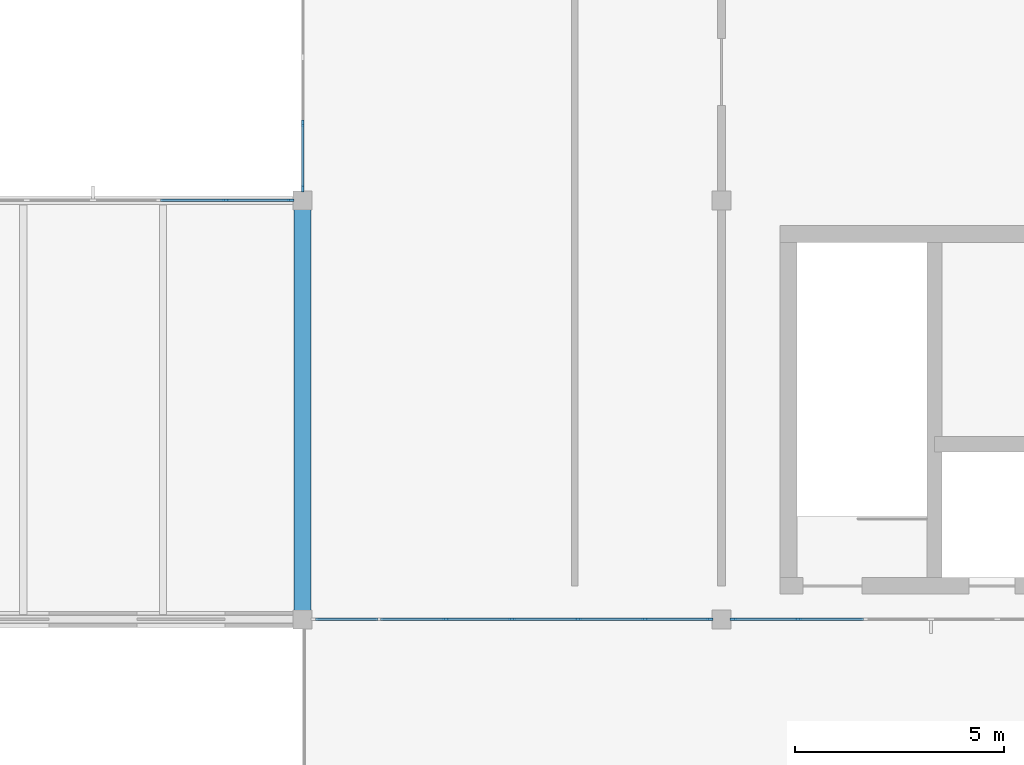
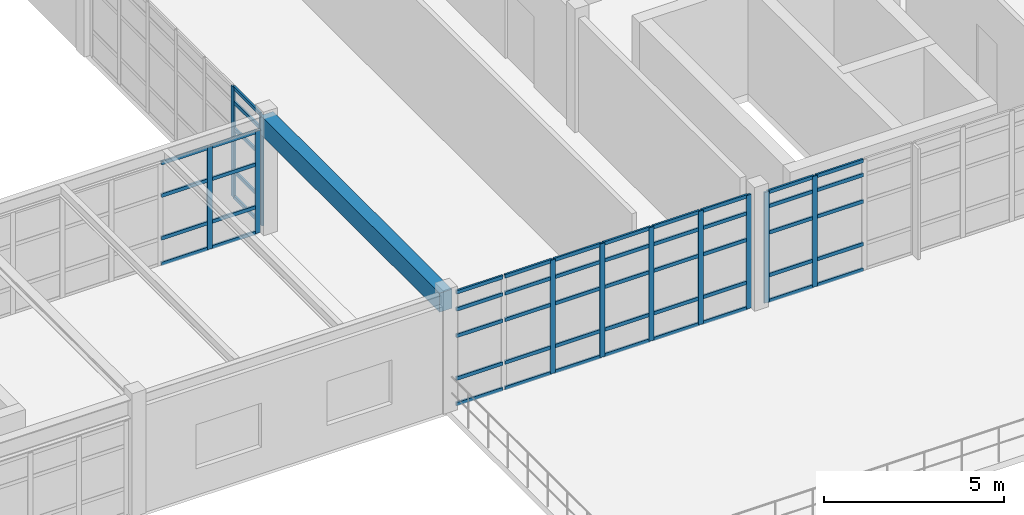
# One storey, part 60 of 122: 64 members, 1 beam, 4 elements without a shape of their own.
"""IFC4 building model written with IfcOpenShell, lengths in metres."""

from ifc_helpers import new_model, si_unit, direction, frame, origin, origin_2d, place, context, subcontext, project, spatial, rectangle, extrude, material, layer, layer_set, material_profile, profile_set, type_object, element, aggregate, save


model = new_model("IFC4")

# Units and contexts
model_context = context("Model", 3, precision=1e-05, world=origin(), true_north=direction((0.0, 1.0)))
body_context = subcontext(model_context, "Body", "Model", "MODEL_VIEW")
ifc_project = project(units=[si_unit("LENGTHUNIT", "METRE"), si_unit("AREAUNIT", "SQUARE_METRE"), si_unit("VOLUMEUNIT", "CUBIC_METRE"), si_unit("PLANEANGLEUNIT", "RADIAN"), si_unit("MASSUNIT", "GRAM", prefix="KILO"), si_unit("THERMODYNAMICTEMPERATUREUNIT", "KELVIN"), si_unit("POWERUNIT", "WATT")], contexts=[model_context])

# Site, building, storey
site_placement = place(None, origin())
site = spatial("IfcSite", under=ifc_project, at=site_placement, CompositionType="ELEMENT")
building_placement = place(site_placement, origin())
building = spatial("IfcBuilding", under=site, at=building_placement, Name="Korenveer Ferry Terminal", CompositionType="ELEMENT")
storey_placement = place(building_placement, frame((0.0, 0.0, 10.199951171875)))
storey = spatial("IfcBuildingStorey", under=building, at=storey_placement, Name="L02", CompositionType="ELEMENT", Elevation=10.199951171875)

# Curtain wall, members
ifc_material_1 = material(Name="Unitised bronze-and-glass curtain wall", Category="glass")
ifc_layer_1 = layer(ifc_material_1, 0.159912109375)
ifc_layer_set_1 = layer_set([ifc_layer_1], Name="Unitised bronze-and-glass curtain wall")
curtain_wall_type_1 = type_object("IfcCurtainWallType", Name="ENV-CW-86", PredefinedType="USERDEFINED", material=ifc_layer_set_1)
curtain_wall_1_placement = place(storey_placement, frame((146.2548828125, 20.0, 0.0)))
curtain_wall_1 = element("IfcCurtainWall", 1, at=curtain_wall_1_placement, inside=storey, type_object=curtain_wall_type_1, Name="Lancet curtain wall CWX-L02-X146-156-Y20-20", ObjectType="UNITISED CURTAIN WALL", PredefinedType="USERDEFINED")
ifc_material_2 = material(Name="Anodised bronze aluminium", Category="aluminium")
ifc_material_profile_1 = material_profile(ifc_material_2, rectangle(XDim=0.06005859375, YDim=0.159912109375, at=origin_2d()), Name="ALU 60x160")
ifc_profile_set_1 = profile_set([ifc_material_profile_1], Name="Anodised bronze aluminium")
member_type_1 = type_object("IfcMemberType", Name="ENV-CWM-60X160", PredefinedType="MULLION", material=ifc_profile_set_1)
member_1_placement = place(storey_placement, frame((149.418212890625, 20.0, 0.0), z_axis=(0.0, 0.0, 1.0), x_axis=(0.0, 1.0, 0.0)))
member_1 = element("IfcMember", 2, at=member_1_placement, type_object=member_type_1, Name="CW-86 mullion 3", PredefinedType="MULLION", context=body_context, shape_type="SweptSolid", body=[
    extrude(rectangle(XDim=0.06005859375, YDim=0.159912109375, at=origin_2d()), origin(), (0.0, 0.0, 1.0), 3.860107421875),
])
member_2_placement = place(storey_placement, frame((151.0, 20.0, 0.0), z_axis=(0.0, 0.0, 1.0), x_axis=(0.0, 1.0, 0.0)))
member_2 = element("IfcMember", 3, at=member_2_placement, type_object=member_type_1, Name="CW-86 mullion 4", PredefinedType="MULLION", context=body_context, shape_type="SweptSolid", body=[
    extrude(rectangle(XDim=0.06005859375, YDim=0.159912109375, at=origin_2d()), origin(), (0.0, 0.0, 1.0), 3.860107421875),
])
member_3_placement = place(storey_placement, frame((152.581787109375, 20.0, 0.0), z_axis=(0.0, 0.0, 1.0), x_axis=(0.0, 1.0, 0.0)))
member_3 = element("IfcMember", 4, at=member_3_placement, type_object=member_type_1, Name="CW-86 mullion 5", PredefinedType="MULLION", context=body_context, shape_type="SweptSolid", body=[
    extrude(rectangle(XDim=0.06005859375, YDim=0.159912109375, at=origin_2d()), origin(), (0.0, 0.0, 1.0), 3.860107421875),
])
member_4_placement = place(storey_placement, frame((154.163330078125, 20.0, 0.0), z_axis=(0.0, 0.0, 1.0), x_axis=(0.0, 1.0, 0.0)))
member_4 = element("IfcMember", 5, at=member_4_placement, type_object=member_type_1, Name="CW-86 mullion 6", PredefinedType="MULLION", context=body_context, shape_type="SweptSolid", body=[
    extrude(rectangle(XDim=0.06005859375, YDim=0.159912109375, at=origin_2d()), origin(), (0.0, 0.0, 1.0), 3.860107421875),
])
member_5_placement = place(storey_placement, frame((155.715087890625, 20.0, 0.0), z_axis=(0.0, 0.0, 1.0), x_axis=(0.0, 1.0, 0.0)))
member_5 = element("IfcMember", 6, at=member_5_placement, type_object=member_type_1, Name="CW-86 mullion 7", PredefinedType="MULLION", context=body_context, shape_type="SweptSolid", body=[
    extrude(rectangle(XDim=0.06005859375, YDim=0.159912109375, at=origin_2d()), origin(), (0.0, 0.0, 1.0), 3.860107421875),
])

ifc_layer_2 = layer(ifc_material_1, 0.159912109375)
ifc_layer_set_2 = layer_set([ifc_layer_2], Name="Unitised bronze-and-glass curtain wall")
curtain_wall_type_2 = type_object("IfcCurtainWallType", Name="ENV-CW-87", PredefinedType="USERDEFINED", material=ifc_layer_set_2)
curtain_wall_2_placement = place(storey_placement, frame((156.2548828125, 20.0, 0.0)))
curtain_wall_2 = element("IfcCurtainWall", 7, at=curtain_wall_2_placement, inside=storey, type_object=curtain_wall_type_2, Name="Lancet curtain wall CWX-L02-X156-166-Y20-20", ObjectType="UNITISED CURTAIN WALL", PredefinedType="USERDEFINED")
member_6_placement = place(storey_placement, frame((156.284912109375, 20.0, 0.0), z_axis=(0.0, 0.0, 1.0), x_axis=(0.0, 1.0, 0.0)))
member_6 = element("IfcMember", 8, at=member_6_placement, type_object=member_type_1, Name="CW-87 mullion 1", PredefinedType="MULLION", context=body_context, shape_type="SweptSolid", body=[
    extrude(rectangle(XDim=0.06005859375, YDim=0.159912109375, at=origin_2d()), origin(), (0.0, 0.0, 1.0), 3.760009765625),
])
member_7_placement = place(storey_placement, frame((157.836669921875, 20.0, 0.0), z_axis=(0.0, 0.0, 1.0), x_axis=(0.0, 1.0, 0.0)))
member_7 = element("IfcMember", 9, at=member_7_placement, type_object=member_type_1, Name="CW-87 mullion 2", PredefinedType="MULLION", context=body_context, shape_type="SweptSolid", body=[
    extrude(rectangle(XDim=0.06005859375, YDim=0.159912109375, at=origin_2d()), origin(), (0.0, 0.0, 1.0), 3.760009765625),
])

ifc_layer_3 = layer(ifc_material_1, 0.159912109375)
ifc_layer_set_3 = layer_set([ifc_layer_3], Name="Unitised bronze-and-glass curtain wall")
curtain_wall_type_3 = type_object("IfcCurtainWallType", Name="ENV-CW-89", PredefinedType="USERDEFINED", material=ifc_layer_set_3)
curtain_wall_3_placement = place(storey_placement, frame((136.2548828125, 30.0, 0.0)))
curtain_wall_3 = element("IfcCurtainWall", 10, at=curtain_wall_3_placement, inside=storey, type_object=curtain_wall_type_3, Name="Lancet curtain wall CWX-L02-X136-146-Y30-30", ObjectType="UNITISED CURTAIN WALL", PredefinedType="USERDEFINED")
member_8_placement = place(storey_placement, frame((144.163330078125, 30.0, 0.0), z_axis=(0.0, 0.0, 1.0), x_axis=(0.0, 1.0, 0.0)))
member_8 = element("IfcMember", 11, at=member_8_placement, type_object=member_type_1, Name="CW-89 mullion 6", PredefinedType="MULLION", context=body_context, shape_type="SweptSolid", body=[
    extrude(rectangle(XDim=0.06005859375, YDim=0.159912109375, at=origin_2d()), origin(), (0.0, 0.0, 1.0), 3.47998046875),
])
member_9_placement = place(storey_placement, frame((145.715087890625, 30.0, 0.0), z_axis=(0.0, 0.0, 1.0), x_axis=(0.0, 1.0, 0.0)))
member_9 = element("IfcMember", 12, at=member_9_placement, type_object=member_type_1, Name="CW-89 mullion 7", PredefinedType="MULLION", context=body_context, shape_type="SweptSolid", body=[
    extrude(rectangle(XDim=0.06005859375, YDim=0.159912109375, at=origin_2d()), origin(), (0.0, 0.0, 1.0), 3.47998046875),
])

curtain_wall_4_placement = place(storey_placement, frame((146.0, 30.2548828125, 0.0)))
curtain_wall_4 = element("IfcCurtainWall", 13, at=curtain_wall_4_placement, inside=storey, type_object=curtain_wall_type_2, Name="Lancet curtain wall CWX-L02-X146-146-Y30-40", ObjectType="UNITISED CURTAIN WALL", PredefinedType="USERDEFINED")
member_10_placement = place(storey_placement, frame((146.0, 30.284912109375, 0.0), z_axis=(0.0, 0.0, 1.0), x_axis=(-1.0, 0.0, 0.0)))
member_10 = element("IfcMember", 14, at=member_10_placement, type_object=member_type_1, Name="CW-87 mullion 1", PredefinedType="MULLION", context=body_context, shape_type="SweptSolid", body=[
    extrude(rectangle(XDim=0.06005859375, YDim=0.159912109375, at=origin_2d()), origin(), (0.0, 0.0, 1.0), 3.760009765625),
])
member_11_placement = place(storey_placement, frame((146.0, 31.836669921875, 0.0), z_axis=(0.0, 0.0, 1.0), x_axis=(-1.0, 0.0, 0.0)))
member_11 = element("IfcMember", 15, at=member_11_placement, type_object=member_type_1, Name="CW-87 mullion 2", PredefinedType="MULLION", context=body_context, shape_type="SweptSolid", body=[
    extrude(rectangle(XDim=0.06005859375, YDim=0.159912109375, at=origin_2d()), origin(), (0.0, 0.0, 1.0), 3.760009765625),
])

# Member
ifc_material_profile_2 = material_profile(ifc_material_2, rectangle(XDim=0.06005859375, YDim=0.1201171875, at=origin_2d()), Name="ALU 60x120")
ifc_profile_set_2 = profile_set([ifc_material_profile_2], Name="Anodised bronze aluminium")
member_type_2 = type_object("IfcMemberType", Name="ENV-CWT-60X120", PredefinedType="USERDEFINED", material=ifc_profile_set_2)
member_12_placement = place(storey_placement, frame((146.31494140625, 20.0, 0.030029296875), z_axis=(1.0, 0.0, 0.0), x_axis=(0.0, 1.0, 0.0)))
member_12 = element("IfcMember", 16, at=member_12_placement, type_object=member_type_2, Name="CW-86 transom 1.1", ObjectType="TRANSOM", PredefinedType="USERDEFINED", context=body_context, shape_type="SweptSolid", body=[
    extrude(rectangle(XDim=0.06005859375, YDim=0.1201171875, at=origin_2d()), origin(), (0.0, 0.0, 1.0), 1.49169921875),
])

member_13_placement = place(storey_placement, frame((146.31494140625, 20.0, 0.900146484375), z_axis=(1.0, 0.0, 0.0), x_axis=(0.0, 1.0, 0.0)))
member_13 = element("IfcMember", 17, at=member_13_placement, type_object=member_type_2, Name="CW-86 transom 1.2", ObjectType="TRANSOM", PredefinedType="USERDEFINED", context=body_context, shape_type="SweptSolid", body=[
    extrude(rectangle(XDim=0.06005859375, YDim=0.1201171875, at=origin_2d()), origin(), (0.0, 0.0, 1.0), 1.49169921875),
])

member_14_placement = place(storey_placement, frame((146.31494140625, 20.0, 2.35009765625), z_axis=(1.0, 0.0, 0.0), x_axis=(0.0, 1.0, 0.0)))
member_14 = element("IfcMember", 18, at=member_14_placement, type_object=member_type_2, Name="CW-86 transom 1.3", ObjectType="TRANSOM", PredefinedType="USERDEFINED", context=body_context, shape_type="SweptSolid", body=[
    extrude(rectangle(XDim=0.06005859375, YDim=0.1201171875, at=origin_2d()), origin(), (0.0, 0.0, 1.0), 1.49169921875),
])

member_15_placement = place(storey_placement, frame((146.31494140625, 20.0, 3.25), z_axis=(1.0, 0.0, 0.0), x_axis=(0.0, 1.0, 0.0)))
member_15 = element("IfcMember", 19, at=member_15_placement, type_object=member_type_2, Name="CW-86 transom 1.4", ObjectType="TRANSOM", PredefinedType="USERDEFINED", context=body_context, shape_type="SweptSolid", body=[
    extrude(rectangle(XDim=0.06005859375, YDim=0.1201171875, at=origin_2d()), origin(), (0.0, 0.0, 1.0), 1.49169921875),
])

member_16_placement = place(storey_placement, frame((146.31494140625, 20.0, 3.830078125), z_axis=(1.0, 0.0, 0.0), x_axis=(0.0, 1.0, 0.0)))
member_16 = element("IfcMember", 20, at=member_16_placement, type_object=member_type_2, Name="CW-86 transom 1.5", ObjectType="TRANSOM", PredefinedType="USERDEFINED", context=body_context, shape_type="SweptSolid", body=[
    extrude(rectangle(XDim=0.06005859375, YDim=0.1201171875, at=origin_2d()), origin(), (0.0, 0.0, 1.0), 1.49169921875),
])

member_17_placement = place(storey_placement, frame((147.86669921875, 20.0, 0.030029296875), z_axis=(1.0, 0.0, 0.0), x_axis=(0.0, 1.0, 0.0)))
member_17 = element("IfcMember", 21, at=member_17_placement, type_object=member_type_2, Name="CW-86 transom 2.1", ObjectType="TRANSOM", PredefinedType="USERDEFINED", context=body_context, shape_type="SweptSolid", body=[
    extrude(rectangle(XDim=0.06005859375, YDim=0.1201171875, at=origin_2d()), origin(), (0.0, 0.0, 1.0), 1.521728515625),
])

member_18_placement = place(storey_placement, frame((147.86669921875, 20.0, 0.900146484375), z_axis=(1.0, 0.0, 0.0), x_axis=(0.0, 1.0, 0.0)))
member_18 = element("IfcMember", 22, at=member_18_placement, type_object=member_type_2, Name="CW-86 transom 2.2", ObjectType="TRANSOM", PredefinedType="USERDEFINED", context=body_context, shape_type="SweptSolid", body=[
    extrude(rectangle(XDim=0.06005859375, YDim=0.1201171875, at=origin_2d()), origin(), (0.0, 0.0, 1.0), 1.521728515625),
])

member_19_placement = place(storey_placement, frame((147.86669921875, 20.0, 2.35009765625), z_axis=(1.0, 0.0, 0.0), x_axis=(0.0, 1.0, 0.0)))
member_19 = element("IfcMember", 23, at=member_19_placement, type_object=member_type_2, Name="CW-86 transom 2.3", ObjectType="TRANSOM", PredefinedType="USERDEFINED", context=body_context, shape_type="SweptSolid", body=[
    extrude(rectangle(XDim=0.06005859375, YDim=0.1201171875, at=origin_2d()), origin(), (0.0, 0.0, 1.0), 1.521728515625),
])

member_20_placement = place(storey_placement, frame((147.86669921875, 20.0, 3.25), z_axis=(1.0, 0.0, 0.0), x_axis=(0.0, 1.0, 0.0)))
member_20 = element("IfcMember", 24, at=member_20_placement, type_object=member_type_2, Name="CW-86 transom 2.4", ObjectType="TRANSOM", PredefinedType="USERDEFINED", context=body_context, shape_type="SweptSolid", body=[
    extrude(rectangle(XDim=0.06005859375, YDim=0.1201171875, at=origin_2d()), origin(), (0.0, 0.0, 1.0), 1.521728515625),
])

member_21_placement = place(storey_placement, frame((147.86669921875, 20.0, 3.830078125), z_axis=(1.0, 0.0, 0.0), x_axis=(0.0, 1.0, 0.0)))
member_21 = element("IfcMember", 25, at=member_21_placement, type_object=member_type_2, Name="CW-86 transom 2.5", ObjectType="TRANSOM", PredefinedType="USERDEFINED", context=body_context, shape_type="SweptSolid", body=[
    extrude(rectangle(XDim=0.06005859375, YDim=0.1201171875, at=origin_2d()), origin(), (0.0, 0.0, 1.0), 1.521728515625),
])

member_22_placement = place(storey_placement, frame((149.4482421875, 20.0, 0.030029296875), z_axis=(1.0, 0.0, 0.0), x_axis=(0.0, 1.0, 0.0)))
member_22 = element("IfcMember", 26, at=member_22_placement, type_object=member_type_2, Name="CW-86 transom 3.1", ObjectType="TRANSOM", PredefinedType="USERDEFINED", context=body_context, shape_type="SweptSolid", body=[
    extrude(rectangle(XDim=0.06005859375, YDim=0.1201171875, at=origin_2d()), origin(), (0.0, 0.0, 1.0), 1.521728515625),
])

member_23_placement = place(storey_placement, frame((149.4482421875, 20.0, 0.900146484375), z_axis=(1.0, 0.0, 0.0), x_axis=(0.0, 1.0, 0.0)))
member_23 = element("IfcMember", 27, at=member_23_placement, type_object=member_type_2, Name="CW-86 transom 3.2", ObjectType="TRANSOM", PredefinedType="USERDEFINED", context=body_context, shape_type="SweptSolid", body=[
    extrude(rectangle(XDim=0.06005859375, YDim=0.1201171875, at=origin_2d()), origin(), (0.0, 0.0, 1.0), 1.521728515625),
])

member_24_placement = place(storey_placement, frame((149.4482421875, 20.0, 2.35009765625), z_axis=(1.0, 0.0, 0.0), x_axis=(0.0, 1.0, 0.0)))
member_24 = element("IfcMember", 28, at=member_24_placement, type_object=member_type_2, Name="CW-86 transom 3.3", ObjectType="TRANSOM", PredefinedType="USERDEFINED", context=body_context, shape_type="SweptSolid", body=[
    extrude(rectangle(XDim=0.06005859375, YDim=0.1201171875, at=origin_2d()), origin(), (0.0, 0.0, 1.0), 1.521728515625),
])

member_25_placement = place(storey_placement, frame((149.4482421875, 20.0, 3.25), z_axis=(1.0, 0.0, 0.0), x_axis=(0.0, 1.0, 0.0)))
member_25 = element("IfcMember", 29, at=member_25_placement, type_object=member_type_2, Name="CW-86 transom 3.4", ObjectType="TRANSOM", PredefinedType="USERDEFINED", context=body_context, shape_type="SweptSolid", body=[
    extrude(rectangle(XDim=0.06005859375, YDim=0.1201171875, at=origin_2d()), origin(), (0.0, 0.0, 1.0), 1.521728515625),
])

member_26_placement = place(storey_placement, frame((149.4482421875, 20.0, 3.830078125), z_axis=(1.0, 0.0, 0.0), x_axis=(0.0, 1.0, 0.0)))
member_26 = element("IfcMember", 30, at=member_26_placement, type_object=member_type_2, Name="CW-86 transom 3.5", ObjectType="TRANSOM", PredefinedType="USERDEFINED", context=body_context, shape_type="SweptSolid", body=[
    extrude(rectangle(XDim=0.06005859375, YDim=0.1201171875, at=origin_2d()), origin(), (0.0, 0.0, 1.0), 1.521728515625),
])

member_27_placement = place(storey_placement, frame((151.030029296875, 20.0, 0.030029296875), z_axis=(1.0, 0.0, 0.0), x_axis=(0.0, 1.0, 0.0)))
member_27 = element("IfcMember", 31, at=member_27_placement, type_object=member_type_2, Name="CW-86 transom 4.1", ObjectType="TRANSOM", PredefinedType="USERDEFINED", context=body_context, shape_type="SweptSolid", body=[
    extrude(rectangle(XDim=0.06005859375, YDim=0.1201171875, at=origin_2d()), origin(), (0.0, 0.0, 1.0), 1.521728515625),
])

member_28_placement = place(storey_placement, frame((151.030029296875, 20.0, 0.900146484375), z_axis=(1.0, 0.0, 0.0), x_axis=(0.0, 1.0, 0.0)))
member_28 = element("IfcMember", 32, at=member_28_placement, type_object=member_type_2, Name="CW-86 transom 4.2", ObjectType="TRANSOM", PredefinedType="USERDEFINED", context=body_context, shape_type="SweptSolid", body=[
    extrude(rectangle(XDim=0.06005859375, YDim=0.1201171875, at=origin_2d()), origin(), (0.0, 0.0, 1.0), 1.521728515625),
])

member_29_placement = place(storey_placement, frame((151.030029296875, 20.0, 2.35009765625), z_axis=(1.0, 0.0, 0.0), x_axis=(0.0, 1.0, 0.0)))
member_29 = element("IfcMember", 33, at=member_29_placement, type_object=member_type_2, Name="CW-86 transom 4.3", ObjectType="TRANSOM", PredefinedType="USERDEFINED", context=body_context, shape_type="SweptSolid", body=[
    extrude(rectangle(XDim=0.06005859375, YDim=0.1201171875, at=origin_2d()), origin(), (0.0, 0.0, 1.0), 1.521728515625),
])

member_30_placement = place(storey_placement, frame((151.030029296875, 20.0, 3.25), z_axis=(1.0, 0.0, 0.0), x_axis=(0.0, 1.0, 0.0)))
member_30 = element("IfcMember", 34, at=member_30_placement, type_object=member_type_2, Name="CW-86 transom 4.4", ObjectType="TRANSOM", PredefinedType="USERDEFINED", context=body_context, shape_type="SweptSolid", body=[
    extrude(rectangle(XDim=0.06005859375, YDim=0.1201171875, at=origin_2d()), origin(), (0.0, 0.0, 1.0), 1.521728515625),
])

member_31_placement = place(storey_placement, frame((151.030029296875, 20.0, 3.830078125), z_axis=(1.0, 0.0, 0.0), x_axis=(0.0, 1.0, 0.0)))
member_31 = element("IfcMember", 35, at=member_31_placement, type_object=member_type_2, Name="CW-86 transom 4.5", ObjectType="TRANSOM", PredefinedType="USERDEFINED", context=body_context, shape_type="SweptSolid", body=[
    extrude(rectangle(XDim=0.06005859375, YDim=0.1201171875, at=origin_2d()), origin(), (0.0, 0.0, 1.0), 1.521728515625),
])

member_32_placement = place(storey_placement, frame((152.611572265625, 20.0, 0.030029296875), z_axis=(1.0, 0.0, 0.0), x_axis=(0.0, 1.0, 0.0)))
member_32 = element("IfcMember", 36, at=member_32_placement, type_object=member_type_2, Name="CW-86 transom 5.1", ObjectType="TRANSOM", PredefinedType="USERDEFINED", context=body_context, shape_type="SweptSolid", body=[
    extrude(rectangle(XDim=0.06005859375, YDim=0.1201171875, at=origin_2d()), origin(), (0.0, 0.0, 1.0), 1.521728515625),
])

member_33_placement = place(storey_placement, frame((152.611572265625, 20.0, 0.900146484375), z_axis=(1.0, 0.0, 0.0), x_axis=(0.0, 1.0, 0.0)))
member_33 = element("IfcMember", 37, at=member_33_placement, type_object=member_type_2, Name="CW-86 transom 5.2", ObjectType="TRANSOM", PredefinedType="USERDEFINED", context=body_context, shape_type="SweptSolid", body=[
    extrude(rectangle(XDim=0.06005859375, YDim=0.1201171875, at=origin_2d()), origin(), (0.0, 0.0, 1.0), 1.521728515625),
])

member_34_placement = place(storey_placement, frame((152.611572265625, 20.0, 2.35009765625), z_axis=(1.0, 0.0, 0.0), x_axis=(0.0, 1.0, 0.0)))
member_34 = element("IfcMember", 38, at=member_34_placement, type_object=member_type_2, Name="CW-86 transom 5.3", ObjectType="TRANSOM", PredefinedType="USERDEFINED", context=body_context, shape_type="SweptSolid", body=[
    extrude(rectangle(XDim=0.06005859375, YDim=0.1201171875, at=origin_2d()), origin(), (0.0, 0.0, 1.0), 1.521728515625),
])

member_35_placement = place(storey_placement, frame((152.611572265625, 20.0, 3.25), z_axis=(1.0, 0.0, 0.0), x_axis=(0.0, 1.0, 0.0)))
member_35 = element("IfcMember", 39, at=member_35_placement, type_object=member_type_2, Name="CW-86 transom 5.4", ObjectType="TRANSOM", PredefinedType="USERDEFINED", context=body_context, shape_type="SweptSolid", body=[
    extrude(rectangle(XDim=0.06005859375, YDim=0.1201171875, at=origin_2d()), origin(), (0.0, 0.0, 1.0), 1.521728515625),
])

member_36_placement = place(storey_placement, frame((152.611572265625, 20.0, 3.830078125), z_axis=(1.0, 0.0, 0.0), x_axis=(0.0, 1.0, 0.0)))
member_36 = element("IfcMember", 40, at=member_36_placement, type_object=member_type_2, Name="CW-86 transom 5.5", ObjectType="TRANSOM", PredefinedType="USERDEFINED", context=body_context, shape_type="SweptSolid", body=[
    extrude(rectangle(XDim=0.06005859375, YDim=0.1201171875, at=origin_2d()), origin(), (0.0, 0.0, 1.0), 1.521728515625),
])

member_37_placement = place(storey_placement, frame((154.193359375, 20.0, 0.030029296875), z_axis=(1.0, 0.0, 0.0), x_axis=(0.0, 1.0, 0.0)))
member_37 = element("IfcMember", 41, at=member_37_placement, type_object=member_type_2, Name="CW-86 transom 6.1", ObjectType="TRANSOM", PredefinedType="USERDEFINED", context=body_context, shape_type="SweptSolid", body=[
    extrude(rectangle(XDim=0.06005859375, YDim=0.1201171875, at=origin_2d()), origin(), (0.0, 0.0, 1.0), 1.49169921875),
])

member_38_placement = place(storey_placement, frame((154.193359375, 20.0, 0.900146484375), z_axis=(1.0, 0.0, 0.0), x_axis=(0.0, 1.0, 0.0)))
member_38 = element("IfcMember", 42, at=member_38_placement, type_object=member_type_2, Name="CW-86 transom 6.2", ObjectType="TRANSOM", PredefinedType="USERDEFINED", context=body_context, shape_type="SweptSolid", body=[
    extrude(rectangle(XDim=0.06005859375, YDim=0.1201171875, at=origin_2d()), origin(), (0.0, 0.0, 1.0), 1.49169921875),
])

member_39_placement = place(storey_placement, frame((154.193359375, 20.0, 2.35009765625), z_axis=(1.0, 0.0, 0.0), x_axis=(0.0, 1.0, 0.0)))
member_39 = element("IfcMember", 43, at=member_39_placement, type_object=member_type_2, Name="CW-86 transom 6.3", ObjectType="TRANSOM", PredefinedType="USERDEFINED", context=body_context, shape_type="SweptSolid", body=[
    extrude(rectangle(XDim=0.06005859375, YDim=0.1201171875, at=origin_2d()), origin(), (0.0, 0.0, 1.0), 1.49169921875),
])

member_40_placement = place(storey_placement, frame((154.193359375, 20.0, 3.25), z_axis=(1.0, 0.0, 0.0), x_axis=(0.0, 1.0, 0.0)))
member_40 = element("IfcMember", 44, at=member_40_placement, type_object=member_type_2, Name="CW-86 transom 6.4", ObjectType="TRANSOM", PredefinedType="USERDEFINED", context=body_context, shape_type="SweptSolid", body=[
    extrude(rectangle(XDim=0.06005859375, YDim=0.1201171875, at=origin_2d()), origin(), (0.0, 0.0, 1.0), 1.49169921875),
])

member_41_placement = place(storey_placement, frame((154.193359375, 20.0, 3.830078125), z_axis=(1.0, 0.0, 0.0), x_axis=(0.0, 1.0, 0.0)))
member_41 = element("IfcMember", 45, at=member_41_placement, type_object=member_type_2, Name="CW-86 transom 6.5", ObjectType="TRANSOM", PredefinedType="USERDEFINED", context=body_context, shape_type="SweptSolid", body=[
    extrude(rectangle(XDim=0.06005859375, YDim=0.1201171875, at=origin_2d()), origin(), (0.0, 0.0, 1.0), 1.49169921875),
])

aggregate(curtain_wall_1, [member_1, member_2, member_3, member_4, member_5, member_12, member_13, member_14, member_15, member_16, member_17, member_18, member_19, member_20, member_21, member_22, member_23, member_24, member_25, member_26, member_27, member_28, member_29, member_30, member_31, member_32, member_33, member_34, member_35, member_36, member_37, member_38, member_39, member_40, member_41])

member_42_placement = place(storey_placement, frame((156.31494140625, 20.0, 0.030029296875), z_axis=(1.0, 0.0, 0.0), x_axis=(0.0, 1.0, 0.0)))
member_42 = element("IfcMember", 46, at=member_42_placement, type_object=member_type_2, Name="CW-87 transom 1.1", ObjectType="TRANSOM", PredefinedType="USERDEFINED", context=body_context, shape_type="SweptSolid", body=[
    extrude(rectangle(XDim=0.06005859375, YDim=0.1201171875, at=origin_2d()), origin(), (0.0, 0.0, 1.0), 1.49169921875),
])

member_43_placement = place(storey_placement, frame((156.31494140625, 20.0, 0.900146484375), z_axis=(1.0, 0.0, 0.0), x_axis=(0.0, 1.0, 0.0)))
member_43 = element("IfcMember", 47, at=member_43_placement, type_object=member_type_2, Name="CW-87 transom 1.2", ObjectType="TRANSOM", PredefinedType="USERDEFINED", context=body_context, shape_type="SweptSolid", body=[
    extrude(rectangle(XDim=0.06005859375, YDim=0.1201171875, at=origin_2d()), origin(), (0.0, 0.0, 1.0), 1.49169921875),
])

member_44_placement = place(storey_placement, frame((156.31494140625, 20.0, 2.35009765625), z_axis=(1.0, 0.0, 0.0), x_axis=(0.0, 1.0, 0.0)))
member_44 = element("IfcMember", 48, at=member_44_placement, type_object=member_type_2, Name="CW-87 transom 1.3", ObjectType="TRANSOM", PredefinedType="USERDEFINED", context=body_context, shape_type="SweptSolid", body=[
    extrude(rectangle(XDim=0.06005859375, YDim=0.1201171875, at=origin_2d()), origin(), (0.0, 0.0, 1.0), 1.49169921875),
])

member_45_placement = place(storey_placement, frame((156.31494140625, 20.0, 3.25), z_axis=(1.0, 0.0, 0.0), x_axis=(0.0, 1.0, 0.0)))
member_45 = element("IfcMember", 49, at=member_45_placement, type_object=member_type_2, Name="CW-87 transom 1.4", ObjectType="TRANSOM", PredefinedType="USERDEFINED", context=body_context, shape_type="SweptSolid", body=[
    extrude(rectangle(XDim=0.06005859375, YDim=0.1201171875, at=origin_2d()), origin(), (0.0, 0.0, 1.0), 1.49169921875),
])

member_46_placement = place(storey_placement, frame((156.31494140625, 20.0, 3.72998046875), z_axis=(1.0, 0.0, 0.0), x_axis=(0.0, 1.0, 0.0)))
member_46 = element("IfcMember", 50, at=member_46_placement, type_object=member_type_2, Name="CW-87 transom 1.5", ObjectType="TRANSOM", PredefinedType="USERDEFINED", context=body_context, shape_type="SweptSolid", body=[
    extrude(rectangle(XDim=0.06005859375, YDim=0.1201171875, at=origin_2d()), origin(), (0.0, 0.0, 1.0), 1.49169921875),
])

member_47_placement = place(storey_placement, frame((157.86669921875, 20.0, 0.030029296875), z_axis=(1.0, 0.0, 0.0), x_axis=(0.0, 1.0, 0.0)))
member_47 = element("IfcMember", 51, at=member_47_placement, type_object=member_type_2, Name="CW-87 transom 2.1", ObjectType="TRANSOM", PredefinedType="USERDEFINED", context=body_context, shape_type="SweptSolid", body=[
    extrude(rectangle(XDim=0.06005859375, YDim=0.1201171875, at=origin_2d()), origin(), (0.0, 0.0, 1.0), 1.521728515625),
])

member_48_placement = place(storey_placement, frame((157.86669921875, 20.0, 0.900146484375), z_axis=(1.0, 0.0, 0.0), x_axis=(0.0, 1.0, 0.0)))
member_48 = element("IfcMember", 52, at=member_48_placement, type_object=member_type_2, Name="CW-87 transom 2.2", ObjectType="TRANSOM", PredefinedType="USERDEFINED", context=body_context, shape_type="SweptSolid", body=[
    extrude(rectangle(XDim=0.06005859375, YDim=0.1201171875, at=origin_2d()), origin(), (0.0, 0.0, 1.0), 1.521728515625),
])

member_49_placement = place(storey_placement, frame((157.86669921875, 20.0, 2.35009765625), z_axis=(1.0, 0.0, 0.0), x_axis=(0.0, 1.0, 0.0)))
member_49 = element("IfcMember", 53, at=member_49_placement, type_object=member_type_2, Name="CW-87 transom 2.3", ObjectType="TRANSOM", PredefinedType="USERDEFINED", context=body_context, shape_type="SweptSolid", body=[
    extrude(rectangle(XDim=0.06005859375, YDim=0.1201171875, at=origin_2d()), origin(), (0.0, 0.0, 1.0), 1.521728515625),
])

member_50_placement = place(storey_placement, frame((157.86669921875, 20.0, 3.25), z_axis=(1.0, 0.0, 0.0), x_axis=(0.0, 1.0, 0.0)))
member_50 = element("IfcMember", 54, at=member_50_placement, type_object=member_type_2, Name="CW-87 transom 2.4", ObjectType="TRANSOM", PredefinedType="USERDEFINED", context=body_context, shape_type="SweptSolid", body=[
    extrude(rectangle(XDim=0.06005859375, YDim=0.1201171875, at=origin_2d()), origin(), (0.0, 0.0, 1.0), 1.521728515625),
])

member_51_placement = place(storey_placement, frame((157.86669921875, 20.0, 3.72998046875), z_axis=(1.0, 0.0, 0.0), x_axis=(0.0, 1.0, 0.0)))
member_51 = element("IfcMember", 55, at=member_51_placement, type_object=member_type_2, Name="CW-87 transom 2.5", ObjectType="TRANSOM", PredefinedType="USERDEFINED", context=body_context, shape_type="SweptSolid", body=[
    extrude(rectangle(XDim=0.06005859375, YDim=0.1201171875, at=origin_2d()), origin(), (0.0, 0.0, 1.0), 1.521728515625),
])

aggregate(curtain_wall_2, [member_6, member_7, member_42, member_43, member_44, member_45, member_46, member_47, member_48, member_49, member_50, member_51])

member_52_placement = place(storey_placement, frame((142.611572265625, 30.0, 0.030029296875), z_axis=(1.0, 0.0, 0.0), x_axis=(0.0, 1.0, 0.0)))
member_52 = element("IfcMember", 56, at=member_52_placement, type_object=member_type_2, Name="CW-89 transom 5.1", ObjectType="TRANSOM", PredefinedType="USERDEFINED", context=body_context, shape_type="SweptSolid", body=[
    extrude(rectangle(XDim=0.06005859375, YDim=0.1201171875, at=origin_2d()), origin(), (0.0, 0.0, 1.0), 1.521728515625),
])

member_53_placement = place(storey_placement, frame((142.611572265625, 30.0, 0.900146484375), z_axis=(1.0, 0.0, 0.0), x_axis=(0.0, 1.0, 0.0)))
member_53 = element("IfcMember", 57, at=member_53_placement, type_object=member_type_2, Name="CW-89 transom 5.2", ObjectType="TRANSOM", PredefinedType="USERDEFINED", context=body_context, shape_type="SweptSolid", body=[
    extrude(rectangle(XDim=0.06005859375, YDim=0.1201171875, at=origin_2d()), origin(), (0.0, 0.0, 1.0), 1.521728515625),
])

member_54_placement = place(storey_placement, frame((142.611572265625, 30.0, 2.35009765625), z_axis=(1.0, 0.0, 0.0), x_axis=(0.0, 1.0, 0.0)))
member_54 = element("IfcMember", 58, at=member_54_placement, type_object=member_type_2, Name="CW-89 transom 5.3", ObjectType="TRANSOM", PredefinedType="USERDEFINED", context=body_context, shape_type="SweptSolid", body=[
    extrude(rectangle(XDim=0.06005859375, YDim=0.1201171875, at=origin_2d()), origin(), (0.0, 0.0, 1.0), 1.521728515625),
])

member_55_placement = place(storey_placement, frame((142.611572265625, 30.0, 3.449951171875), z_axis=(1.0, 0.0, 0.0), x_axis=(0.0, 1.0, 0.0)))
member_55 = element("IfcMember", 59, at=member_55_placement, type_object=member_type_2, Name="CW-89 transom 5.4", ObjectType="TRANSOM", PredefinedType="USERDEFINED", context=body_context, shape_type="SweptSolid", body=[
    extrude(rectangle(XDim=0.06005859375, YDim=0.1201171875, at=origin_2d()), origin(), (0.0, 0.0, 1.0), 1.521728515625),
])

member_56_placement = place(storey_placement, frame((144.193359375, 30.0, 0.030029296875), z_axis=(1.0, 0.0, 0.0), x_axis=(0.0, 1.0, 0.0)))
member_56 = element("IfcMember", 60, at=member_56_placement, type_object=member_type_2, Name="CW-89 transom 6.1", ObjectType="TRANSOM", PredefinedType="USERDEFINED", context=body_context, shape_type="SweptSolid", body=[
    extrude(rectangle(XDim=0.06005859375, YDim=0.1201171875, at=origin_2d()), origin(), (0.0, 0.0, 1.0), 1.49169921875),
])

member_57_placement = place(storey_placement, frame((144.193359375, 30.0, 0.900146484375), z_axis=(1.0, 0.0, 0.0), x_axis=(0.0, 1.0, 0.0)))
member_57 = element("IfcMember", 61, at=member_57_placement, type_object=member_type_2, Name="CW-89 transom 6.2", ObjectType="TRANSOM", PredefinedType="USERDEFINED", context=body_context, shape_type="SweptSolid", body=[
    extrude(rectangle(XDim=0.06005859375, YDim=0.1201171875, at=origin_2d()), origin(), (0.0, 0.0, 1.0), 1.49169921875),
])

member_58_placement = place(storey_placement, frame((144.193359375, 30.0, 2.35009765625), z_axis=(1.0, 0.0, 0.0), x_axis=(0.0, 1.0, 0.0)))
member_58 = element("IfcMember", 62, at=member_58_placement, type_object=member_type_2, Name="CW-89 transom 6.3", ObjectType="TRANSOM", PredefinedType="USERDEFINED", context=body_context, shape_type="SweptSolid", body=[
    extrude(rectangle(XDim=0.06005859375, YDim=0.1201171875, at=origin_2d()), origin(), (0.0, 0.0, 1.0), 1.49169921875),
])

member_59_placement = place(storey_placement, frame((144.193359375, 30.0, 3.449951171875), z_axis=(1.0, 0.0, 0.0), x_axis=(0.0, 1.0, 0.0)))
member_59 = element("IfcMember", 63, at=member_59_placement, type_object=member_type_2, Name="CW-89 transom 6.4", ObjectType="TRANSOM", PredefinedType="USERDEFINED", context=body_context, shape_type="SweptSolid", body=[
    extrude(rectangle(XDim=0.06005859375, YDim=0.1201171875, at=origin_2d()), origin(), (0.0, 0.0, 1.0), 1.49169921875),
])

aggregate(curtain_wall_3, [member_8, member_9, member_52, member_53, member_54, member_55, member_56, member_57, member_58, member_59])

member_60_placement = place(storey_placement, frame((146.0, 30.31494140625, 0.030029296875), z_axis=(0.0, 1.0, 0.0), x_axis=(-1.0, 0.0, 0.0)))
member_60 = element("IfcMember", 64, at=member_60_placement, type_object=member_type_2, Name="CW-87 transom 1.1", ObjectType="TRANSOM", PredefinedType="USERDEFINED", context=body_context, shape_type="SweptSolid", body=[
    extrude(rectangle(XDim=0.06005859375, YDim=0.1201171875, at=origin_2d()), origin(), (0.0, 0.0, 1.0), 1.49169921875),
])

member_61_placement = place(storey_placement, frame((146.0, 30.31494140625, 0.900146484375), z_axis=(0.0, 1.0, 0.0), x_axis=(-1.0, 0.0, 0.0)))
member_61 = element("IfcMember", 65, at=member_61_placement, type_object=member_type_2, Name="CW-87 transom 1.2", ObjectType="TRANSOM", PredefinedType="USERDEFINED", context=body_context, shape_type="SweptSolid", body=[
    extrude(rectangle(XDim=0.06005859375, YDim=0.1201171875, at=origin_2d()), origin(), (0.0, 0.0, 1.0), 1.49169921875),
])

member_62_placement = place(storey_placement, frame((146.0, 30.31494140625, 2.35009765625), z_axis=(0.0, 1.0, 0.0), x_axis=(-1.0, 0.0, 0.0)))
member_62 = element("IfcMember", 66, at=member_62_placement, type_object=member_type_2, Name="CW-87 transom 1.3", ObjectType="TRANSOM", PredefinedType="USERDEFINED", context=body_context, shape_type="SweptSolid", body=[
    extrude(rectangle(XDim=0.06005859375, YDim=0.1201171875, at=origin_2d()), origin(), (0.0, 0.0, 1.0), 1.49169921875),
])

member_63_placement = place(storey_placement, frame((146.0, 30.31494140625, 3.25), z_axis=(0.0, 1.0, 0.0), x_axis=(-1.0, 0.0, 0.0)))
member_63 = element("IfcMember", 67, at=member_63_placement, type_object=member_type_2, Name="CW-87 transom 1.4", ObjectType="TRANSOM", PredefinedType="USERDEFINED", context=body_context, shape_type="SweptSolid", body=[
    extrude(rectangle(XDim=0.06005859375, YDim=0.1201171875, at=origin_2d()), origin(), (0.0, 0.0, 1.0), 1.49169921875),
])

member_64_placement = place(storey_placement, frame((146.0, 30.31494140625, 3.72998046875), z_axis=(0.0, 1.0, 0.0), x_axis=(-1.0, 0.0, 0.0)))
member_64 = element("IfcMember", 68, at=member_64_placement, type_object=member_type_2, Name="CW-87 transom 1.5", ObjectType="TRANSOM", PredefinedType="USERDEFINED", context=body_context, shape_type="SweptSolid", body=[
    extrude(rectangle(XDim=0.06005859375, YDim=0.1201171875, at=origin_2d()), origin(), (0.0, 0.0, 1.0), 1.49169921875),
])

aggregate(curtain_wall_4, [member_10, member_11, member_60, member_61, member_62, member_63, member_64])

# Beam
ifc_material_3 = material(Name="Concrete C40/50", Category="concrete")
ifc_material_profile_3 = material_profile(ifc_material_3, rectangle(XDim=0.39990234375, YDim=0.64990234375, at=origin_2d()), Name="RC 400x650")
ifc_profile_set_3 = profile_set([ifc_material_profile_3], Name="Concrete C40/50")
beam_type = type_object("IfcBeamType", Name="STR-BM-RC400X650", PredefinedType="BEAM", material=ifc_profile_set_3)
beam_placement = place(storey_placement, frame((146.0, 20.02001953125, 3.635009765625), z_axis=(0.0, 1.0, 0.0), x_axis=(-1.0, 0.0, 0.0)))
element("IfcBeam", 69, at=beam_placement, inside=storey, type_object=beam_type, Name="Primary Y girder BMY-L03-X146-Y20-30", PredefinedType="BEAM", context=body_context, shape_type="SweptSolid", body=[
    extrude(rectangle(XDim=0.39990234375, YDim=0.64990234375, at=origin_2d()), origin(), (0.0, 0.0, 1.0), 9.9599609375),
])

save(model, "model.ifc")
